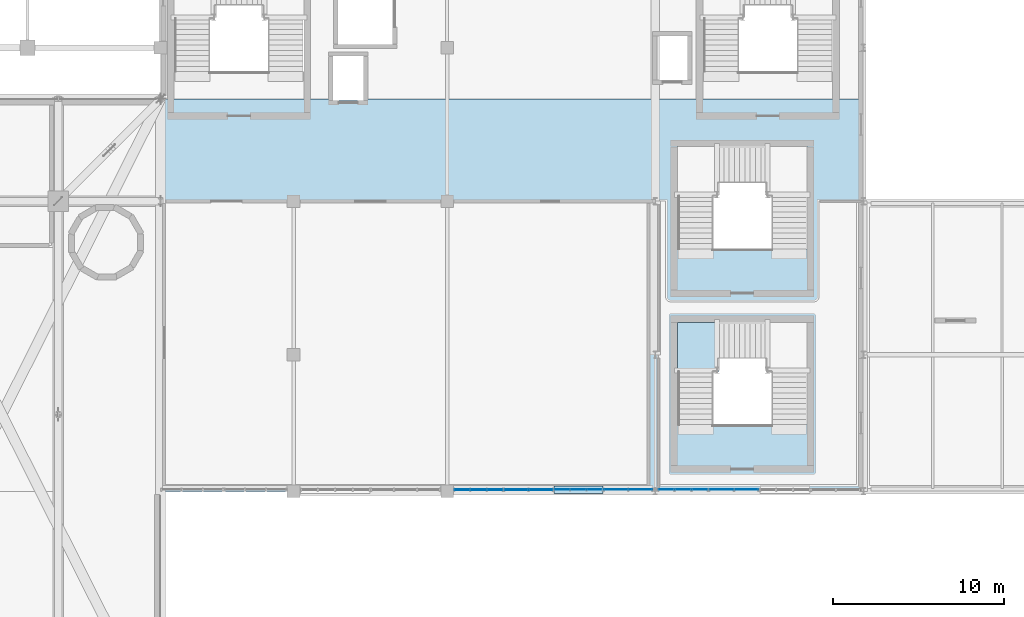
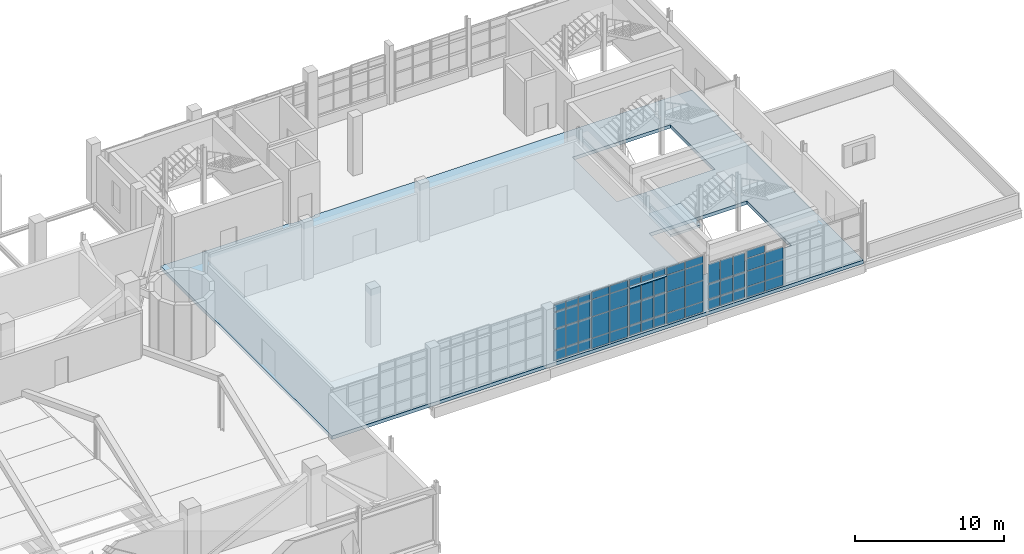
# One storey, part 99 of 127: 57 plates, 2 slabs, 7 elements without a shape of their own.
"""IFC4 building model written with IfcOpenShell, lengths in metres."""

from ifc_helpers import new_model, si_unit, derived_unit, direction, frame, origin, origin_2d, place, context, subcontext, project, spatial, polyline, rectangle, outline, extrude, material, layer, layer_set, type_object, element, aggregate, save


model = new_model("IFC4")

# Units and contexts
model_context = context("Model", 3, precision=1e-05, world=origin(), true_north=direction((0.0, 1.0)))
body_context = subcontext(model_context, "Body", "Model", "MODEL_VIEW")
ifc_project = project(units=[si_unit("LENGTHUNIT", "METRE"), si_unit("AREAUNIT", "SQUARE_METRE"), si_unit("VOLUMEUNIT", "CUBIC_METRE"), si_unit("PLANEANGLEUNIT", "RADIAN"), si_unit("MASSUNIT", "GRAM", prefix="KILO"), derived_unit("THERMALTRANSMITTANCEUNIT", [(si_unit("POWERUNIT", "WATT"), 1), (si_unit("LENGTHUNIT", "METRE"), -2), (si_unit("THERMODYNAMICTEMPERATUREUNIT", "KELVIN"), -1)])], contexts=[model_context])

# Site, building, storey
site_placement = place(None, origin())
site = spatial("IfcSite", under=ifc_project, at=site_placement, CompositionType="ELEMENT")
building_placement = place(site_placement, origin())
building = spatial("IfcBuilding", under=site, at=building_placement, Name="Nallur Shell Playhouse", CompositionType="ELEMENT")
storey_placement = place(building_placement, frame((0.0, 0.0, 5.39990234375)))
storey = spatial("IfcBuildingStorey", under=building, at=storey_placement, Name="L02", CompositionType="ELEMENT", Elevation=5.39990234375)

# Curtain wall, plates
ifc_material_1 = material(Name="Anodised Aluminium Double-Glazed Facade System", Category="aluminium")
ifc_layer_1 = layer(ifc_material_1, 0.172119140625)
ifc_layer_set_1 = layer_set([ifc_layer_1], Name="Anodised Aluminium Double-Glazed Facade System")
curtain_wall_type_1 = type_object("IfcCurtainWallType", Name="CW-UNIT-09", PredefinedType="NOTDEFINED", material=ifc_layer_set_1)
curtain_wall_1_placement = place(storey_placement, origin())
curtain_wall_1 = element("IfcCurtainWall", 1, at=curtain_wall_1_placement, inside=storey, type_object=curtain_wall_type_1, Name="Unitised curtain wall CW-041 (L02)", PredefinedType="NOTDEFINED")
ifc_material_2 = material(Name="Solar-Control Low-E Laminated Insulating Glass", Category="glass")
ifc_layer_2 = layer(ifc_material_2, 0.02587890625)
ifc_layer_set_2 = layer_set([ifc_layer_2], Name="Solar-Control Low-E Laminated Insulating Glass")
plate_type_1 = type_object("IfcPlateType", Name="PT-GLZ-01", PredefinedType="CURTAIN_PANEL", material=ifc_layer_set_2)
plate_1_placement = place(storey_placement, frame((152.931640625, 24.090087890625, 0.05712890625), z_axis=(0.0, 0.0, 1.0), x_axis=(-1.0, 0.0, 0.0)))
plate_1 = element("IfcPlate", 2, at=plate_1_placement, type_object=plate_type_1, Name="CW-09 panel 1.1", PredefinedType="CURTAIN_PANEL", context=body_context, shape_type="SweptSolid", body=[
    extrude(rectangle(XDim=1.3828125, YDim=0.02587890625, at=origin_2d()), origin(), (0.0, 0.0, 1.0), 0.818603515625),
])
plate_2_placement = place(storey_placement, frame((152.931640625, 24.090087890625, 0.9248046875), z_axis=(0.0, 0.0, 1.0), x_axis=(-1.0, 0.0, 0.0)))
plate_2 = element("IfcPlate", 3, at=plate_2_placement, type_object=plate_type_1, Name="CW-09 panel 1.2", PredefinedType="CURTAIN_PANEL", context=body_context, shape_type="SweptSolid", body=[
    extrude(rectangle(XDim=1.3828125, YDim=0.02587890625, at=origin_2d()), origin(), (0.0, 0.0, 1.0), 1.238037109375),
])
plate_3_placement = place(storey_placement, frame((152.931640625, 24.090087890625, 2.21142578125), z_axis=(0.0, 0.0, 1.0), x_axis=(-1.0, 0.0, 0.0)))
plate_3 = element("IfcPlate", 4, at=plate_3_placement, type_object=plate_type_1, Name="CW-09 panel 1.3", PredefinedType="CURTAIN_PANEL", context=body_context, shape_type="SweptSolid", body=[
    extrude(rectangle(XDim=1.3828125, YDim=0.02587890625, at=origin_2d()), origin(), (0.0, 0.0, 1.0), 0.989013671875),
])
plate_4_placement = place(storey_placement, frame((151.48486328125, 24.090087890625, 0.05712890625), z_axis=(0.0, 0.0, 1.0), x_axis=(-1.0, 0.0, 0.0)))
plate_4 = element("IfcPlate", 5, at=plate_4_placement, type_object=plate_type_1, Name="CW-09 panel 2.1", PredefinedType="CURTAIN_PANEL", context=body_context, shape_type="SweptSolid", body=[
    extrude(rectangle(XDim=1.3828125, YDim=0.02587890625, at=origin_2d()), origin(), (0.0, 0.0, 1.0), 0.818603515625),
])
plate_5_placement = place(storey_placement, frame((151.48486328125, 24.090087890625, 0.9248046875), z_axis=(0.0, 0.0, 1.0), x_axis=(-1.0, 0.0, 0.0)))
plate_5 = element("IfcPlate", 6, at=plate_5_placement, type_object=plate_type_1, Name="CW-09 panel 2.2", PredefinedType="CURTAIN_PANEL", context=body_context, shape_type="SweptSolid", body=[
    extrude(rectangle(XDim=1.3828125, YDim=0.02587890625, at=origin_2d()), origin(), (0.0, 0.0, 1.0), 1.238037109375),
])
plate_6_placement = place(storey_placement, frame((151.48486328125, 24.090087890625, 2.21142578125), z_axis=(0.0, 0.0, 1.0), x_axis=(-1.0, 0.0, 0.0)))
plate_6 = element("IfcPlate", 7, at=plate_6_placement, type_object=plate_type_1, Name="CW-09 panel 2.3", PredefinedType="CURTAIN_PANEL", context=body_context, shape_type="SweptSolid", body=[
    extrude(rectangle(XDim=1.3828125, YDim=0.02587890625, at=origin_2d()), origin(), (0.0, 0.0, 1.0), 0.989013671875),
])
plate_7_placement = place(storey_placement, frame((151.48486328125, 24.090087890625, 3.24951171875), z_axis=(0.0, 0.0, 1.0), x_axis=(-1.0, 0.0, 0.0)))
plate_7 = element("IfcPlate", 8, at=plate_7_placement, type_object=plate_type_1, Name="CW-09 panel 2.4", PredefinedType="CURTAIN_PANEL", context=body_context, shape_type="SweptSolid", body=[
    extrude(rectangle(XDim=1.3828125, YDim=0.02587890625, at=origin_2d()), origin(), (0.0, 0.0, 1.0), 0.598388671875),
])
aggregate(curtain_wall_1, [plate_1, plate_2, plate_3, plate_4, plate_5, plate_6, plate_7])

ifc_layer_3 = layer(ifc_material_1, 0.176025390625)
ifc_layer_set_3 = layer_set([ifc_layer_3], Name="Anodised Aluminium Double-Glazed Facade System")
curtain_wall_type_2 = type_object("IfcCurtainWallType", Name="CW-UNIT-10", PredefinedType="NOTDEFINED", material=ifc_layer_set_3)
curtain_wall_2_placement = place(storey_placement, origin())
curtain_wall_2 = element("IfcCurtainWall", 9, at=curtain_wall_2_placement, inside=storey, type_object=curtain_wall_type_2, Name="Unitised curtain wall CW-042 (L02)", PredefinedType="NOTDEFINED")
ifc_layer_4 = layer(ifc_material_2, 0.028076171875)
ifc_layer_set_4 = layer_set([ifc_layer_4], Name="Solar-Control Low-E Laminated Insulating Glass")
plate_type_2 = type_object("IfcPlateType", Name="PT-GLZ-02", PredefinedType="CURTAIN_PANEL", material=ifc_layer_set_4)
plate_8_placement = place(storey_placement, frame((150.1962890625, 24.090087890625, 0.092041015625), z_axis=(0.0, 0.0, 1.0), x_axis=(-1.0, 0.0, 0.0)))
plate_8 = element("IfcPlate", 10, at=plate_8_placement, type_object=plate_type_2, Name="CW-10 panel 1.1", PredefinedType="CURTAIN_PANEL", context=body_context, shape_type="SweptSolid", body=[
    extrude(rectangle(XDim=0.896240234375, YDim=0.028076171875, at=origin_2d()), origin(), (0.0, 0.0, 1.0), 0.76611328125),
])
plate_9_placement = place(storey_placement, frame((150.1962890625, 24.090087890625, 0.942138671875), z_axis=(0.0, 0.0, 1.0), x_axis=(-1.0, 0.0, 0.0)))
plate_9 = element("IfcPlate", 11, at=plate_9_placement, type_object=plate_type_2, Name="CW-10 panel 1.2", PredefinedType="CURTAIN_PANEL", context=body_context, shape_type="SweptSolid", body=[
    extrude(rectangle(XDim=0.896240234375, YDim=0.028076171875, at=origin_2d()), origin(), (0.0, 0.0, 1.0), 1.19189453125),
])
plate_10_placement = place(storey_placement, frame((150.1962890625, 24.090087890625, 2.21826171875), z_axis=(0.0, 0.0, 1.0), x_axis=(-1.0, 0.0, 0.0)))
plate_10 = element("IfcPlate", 12, at=plate_10_placement, type_object=plate_type_2, Name="CW-10 panel 1.3", PredefinedType="CURTAIN_PANEL", context=body_context, shape_type="SweptSolid", body=[
    extrude(rectangle(XDim=0.896240234375, YDim=0.028076171875, at=origin_2d()), origin(), (0.0, 0.0, 1.0), 1.574951171875),
])
plate_11_placement = place(storey_placement, frame((149.22216796875, 24.090087890625, 0.092041015625), z_axis=(0.0, 0.0, 1.0), x_axis=(-1.0, 0.0, 0.0)))
plate_11 = element("IfcPlate", 13, at=plate_11_placement, type_object=plate_type_2, Name="CW-10 panel 2.1", PredefinedType="CURTAIN_PANEL", context=body_context, shape_type="SweptSolid", body=[
    extrude(rectangle(XDim=0.933837890625, YDim=0.028076171875, at=origin_2d()), origin(), (0.0, 0.0, 1.0), 0.76611328125),
])
plate_12_placement = place(storey_placement, frame((149.22216796875, 24.090087890625, 0.942138671875), z_axis=(0.0, 0.0, 1.0), x_axis=(-1.0, 0.0, 0.0)))
plate_12 = element("IfcPlate", 14, at=plate_12_placement, type_object=plate_type_2, Name="CW-10 panel 2.2", PredefinedType="CURTAIN_PANEL", context=body_context, shape_type="SweptSolid", body=[
    extrude(rectangle(XDim=0.933837890625, YDim=0.028076171875, at=origin_2d()), origin(), (0.0, 0.0, 1.0), 1.19189453125),
])
plate_13_placement = place(storey_placement, frame((149.22216796875, 24.090087890625, 2.21826171875), z_axis=(0.0, 0.0, 1.0), x_axis=(-1.0, 0.0, 0.0)))
plate_13 = element("IfcPlate", 15, at=plate_13_placement, type_object=plate_type_2, Name="CW-10 panel 2.3", PredefinedType="CURTAIN_PANEL", context=body_context, shape_type="SweptSolid", body=[
    extrude(rectangle(XDim=0.933837890625, YDim=0.028076171875, at=origin_2d()), origin(), (0.0, 0.0, 1.0), 1.574951171875),
])
plate_14_placement = place(storey_placement, frame((148.248046875, 24.090087890625, 0.092041015625), z_axis=(0.0, 0.0, 1.0), x_axis=(-1.0, 0.0, 0.0)))
plate_14 = element("IfcPlate", 16, at=plate_14_placement, type_object=plate_type_2, Name="CW-10 panel 3.1", PredefinedType="CURTAIN_PANEL", context=body_context, shape_type="SweptSolid", body=[
    extrude(rectangle(XDim=0.896240234375, YDim=0.028076171875, at=origin_2d()), origin(), (0.0, 0.0, 1.0), 0.76611328125),
])
plate_15_placement = place(storey_placement, frame((148.248046875, 24.090087890625, 0.942138671875), z_axis=(0.0, 0.0, 1.0), x_axis=(-1.0, 0.0, 0.0)))
plate_15 = element("IfcPlate", 17, at=plate_15_placement, type_object=plate_type_2, Name="CW-10 panel 3.2", PredefinedType="CURTAIN_PANEL", context=body_context, shape_type="SweptSolid", body=[
    extrude(rectangle(XDim=0.896240234375, YDim=0.028076171875, at=origin_2d()), origin(), (0.0, 0.0, 1.0), 1.19189453125),
])
plate_16_placement = place(storey_placement, frame((148.248046875, 24.090087890625, 2.21826171875), z_axis=(0.0, 0.0, 1.0), x_axis=(-1.0, 0.0, 0.0)))
plate_16 = element("IfcPlate", 18, at=plate_16_placement, type_object=plate_type_2, Name="CW-10 panel 3.3", PredefinedType="CURTAIN_PANEL", context=body_context, shape_type="SweptSolid", body=[
    extrude(rectangle(XDim=0.896240234375, YDim=0.028076171875, at=origin_2d()), origin(), (0.0, 0.0, 1.0), 1.574951171875),
])
aggregate(curtain_wall_2, [plate_8, plate_9, plate_10, plate_11, plate_12, plate_13, plate_14, plate_15, plate_16])

ifc_layer_5 = layer(ifc_material_1, 0.179931640625)
ifc_layer_set_5 = layer_set([ifc_layer_5], Name="Anodised Aluminium Double-Glazed Facade System")
curtain_wall_type_3 = type_object("IfcCurtainWallType", Name="CW-UNIT-11", PredefinedType="NOTDEFINED", material=ifc_layer_set_5)
curtain_wall_3_placement = place(storey_placement, origin())
curtain_wall_3 = element("IfcCurtainWall", 19, at=curtain_wall_3_placement, inside=storey, type_object=curtain_wall_type_3, Name="Unitised curtain wall CW-043 (L02)", PredefinedType="NOTDEFINED")
ifc_layer_6 = layer(ifc_material_2, 0.030029296875)
ifc_layer_set_6 = layer_set([ifc_layer_6], Name="Solar-Control Low-E Laminated Insulating Glass")
plate_type_3 = type_object("IfcPlateType", Name="PT-GLZ-03", PredefinedType="CURTAIN_PANEL", material=ifc_layer_set_6)
plate_17_placement = place(storey_placement, frame((146.7216796875, 24.090087890625, 0.05712890625), z_axis=(0.0, 0.0, 1.0), x_axis=(-1.0, 0.0, 0.0)))
plate_17 = element("IfcPlate", 20, at=plate_17_placement, type_object=plate_type_3, Name="CW-11 panel 1.1", PredefinedType="CURTAIN_PANEL", context=body_context, shape_type="SweptSolid", body=[
    extrude(rectangle(XDim=1.37646484375, YDim=0.030029296875, at=origin_2d()), origin(), (0.0, 0.0, 1.0), 0.818603515625),
])
plate_18_placement = place(storey_placement, frame((146.7216796875, 24.090087890625, 0.924560546875), z_axis=(0.0, 0.0, 1.0), x_axis=(-1.0, 0.0, 0.0)))
plate_18 = element("IfcPlate", 21, at=plate_18_placement, type_object=plate_type_3, Name="CW-11 panel 1.2", PredefinedType="CURTAIN_PANEL", context=body_context, shape_type="SweptSolid", body=[
    extrude(rectangle(XDim=1.37646484375, YDim=0.030029296875, at=origin_2d()), origin(), (0.0, 0.0, 1.0), 1.68896484375),
])
plate_19_placement = place(storey_placement, frame((146.7216796875, 24.090087890625, 2.66259765625), z_axis=(0.0, 0.0, 1.0), x_axis=(-1.0, 0.0, 0.0)))
plate_19 = element("IfcPlate", 22, at=plate_19_placement, type_object=plate_type_3, Name="CW-11 panel 1.3", PredefinedType="CURTAIN_PANEL", context=body_context, shape_type="SweptSolid", body=[
    extrude(rectangle(XDim=1.37646484375, YDim=0.030029296875, at=origin_2d()), origin(), (0.0, 0.0, 1.0), 1.343017578125),
])
plate_20_placement = place(storey_placement, frame((146.7216796875, 24.090087890625, 4.0546875), z_axis=(0.0, 0.0, 1.0), x_axis=(-1.0, 0.0, 0.0)))
plate_20 = element("IfcPlate", 23, at=plate_20_placement, type_object=plate_type_3, Name="CW-11 panel 1.4", PredefinedType="CURTAIN_PANEL", context=body_context, shape_type="SweptSolid", body=[
    extrude(rectangle(XDim=1.37646484375, YDim=0.030029296875, at=origin_2d()), origin(), (0.0, 0.0, 1.0), 0.598388671875),
])
plate_21_placement = place(storey_placement, frame((145.296142578125, 24.090087890625, 0.05712890625), z_axis=(0.0, 0.0, 1.0), x_axis=(-1.0, 0.0, 0.0)))
plate_21 = element("IfcPlate", 24, at=plate_21_placement, type_object=plate_type_3, Name="CW-11 panel 2.1", PredefinedType="CURTAIN_PANEL", context=body_context, shape_type="SweptSolid", body=[
    extrude(rectangle(XDim=1.37646484375, YDim=0.030029296875, at=origin_2d()), origin(), (0.0, 0.0, 1.0), 0.818603515625),
])
plate_22_placement = place(storey_placement, frame((145.296142578125, 24.090087890625, 0.924560546875), z_axis=(0.0, 0.0, 1.0), x_axis=(-1.0, 0.0, 0.0)))
plate_22 = element("IfcPlate", 25, at=plate_22_placement, type_object=plate_type_3, Name="CW-11 panel 2.2", PredefinedType="CURTAIN_PANEL", context=body_context, shape_type="SweptSolid", body=[
    extrude(rectangle(XDim=1.37646484375, YDim=0.030029296875, at=origin_2d()), origin(), (0.0, 0.0, 1.0), 1.68896484375),
])
plate_23_placement = place(storey_placement, frame((145.296142578125, 24.090087890625, 2.66259765625), z_axis=(0.0, 0.0, 1.0), x_axis=(-1.0, 0.0, 0.0)))
plate_23 = element("IfcPlate", 26, at=plate_23_placement, type_object=plate_type_3, Name="CW-11 panel 2.3", PredefinedType="CURTAIN_PANEL", context=body_context, shape_type="SweptSolid", body=[
    extrude(rectangle(XDim=1.37646484375, YDim=0.030029296875, at=origin_2d()), origin(), (0.0, 0.0, 1.0), 1.343017578125),
])
plate_24_placement = place(storey_placement, frame((145.296142578125, 24.090087890625, 4.0546875), z_axis=(0.0, 0.0, 1.0), x_axis=(-1.0, 0.0, 0.0)))
plate_24 = element("IfcPlate", 27, at=plate_24_placement, type_object=plate_type_3, Name="CW-11 panel 2.4", PredefinedType="CURTAIN_PANEL", context=body_context, shape_type="SweptSolid", body=[
    extrude(rectangle(XDim=1.37646484375, YDim=0.030029296875, at=origin_2d()), origin(), (0.0, 0.0, 1.0), 0.598388671875),
])
aggregate(curtain_wall_3, [plate_17, plate_18, plate_19, plate_20, plate_21, plate_22, plate_23, plate_24])

ifc_layer_7 = layer(ifc_material_1, 0.159912109375)
ifc_layer_set_7 = layer_set([ifc_layer_7], Name="Anodised Aluminium Double-Glazed Facade System")
curtain_wall_type_4 = type_object("IfcCurtainWallType", Name="CW-UNIT-12", PredefinedType="NOTDEFINED", material=ifc_layer_set_7)
curtain_wall_4_placement = place(storey_placement, origin())
curtain_wall_4 = element("IfcCurtainWall", 28, at=curtain_wall_4_placement, inside=storey, type_object=curtain_wall_type_4, Name="Unitised curtain wall CW-044 (L02)", PredefinedType="NOTDEFINED")
ifc_layer_8 = layer(ifc_material_2, 0.031982421875)
ifc_layer_set_8 = layer_set([ifc_layer_8], Name="Solar-Control Low-E Laminated Insulating Glass")
plate_type_4 = type_object("IfcPlateType", Name="PT-GLZ-04", PredefinedType="CURTAIN_PANEL", material=ifc_layer_set_8)
plate_25_placement = place(storey_placement, frame((144.035888671875, 24.090087890625, 0.092041015625), z_axis=(0.0, 0.0, 1.0), x_axis=(-1.0, 0.0, 0.0)))
plate_25 = element("IfcPlate", 29, at=plate_25_placement, type_object=plate_type_4, Name="CW-12 panel 1.1", PredefinedType="CURTAIN_PANEL", context=body_context, shape_type="SweptSolid", body=[
    extrude(rectangle(XDim=0.866455078125, YDim=0.031982421875, at=origin_2d()), origin(), (0.0, 0.0, 1.0), 0.76611328125),
])
plate_26_placement = place(storey_placement, frame((144.035888671875, 24.090087890625, 0.942138671875), z_axis=(0.0, 0.0, 1.0), x_axis=(-1.0, 0.0, 0.0)))
plate_26 = element("IfcPlate", 30, at=plate_26_placement, type_object=plate_type_4, Name="CW-12 panel 1.2", PredefinedType="CURTAIN_PANEL", context=body_context, shape_type="SweptSolid", body=[
    extrude(rectangle(XDim=0.866455078125, YDim=0.031982421875, at=origin_2d()), origin(), (0.0, 0.0, 1.0), 1.68701171875),
])
plate_27_placement = place(storey_placement, frame((144.035888671875, 24.090087890625, 2.713134765625), z_axis=(0.0, 0.0, 1.0), x_axis=(-1.0, 0.0, 0.0)))
plate_27 = element("IfcPlate", 31, at=plate_27_placement, type_object=plate_type_4, Name="CW-12 panel 1.3", PredefinedType="CURTAIN_PANEL", context=body_context, shape_type="SweptSolid", body=[
    extrude(rectangle(XDim=0.866455078125, YDim=0.031982421875, at=origin_2d()), origin(), (0.0, 0.0, 1.0), 1.3349609375),
])
plate_28_placement = place(storey_placement, frame((144.035888671875, 24.090087890625, 4.132080078125), z_axis=(0.0, 0.0, 1.0), x_axis=(-1.0, 0.0, 0.0)))
plate_28 = element("IfcPlate", 32, at=plate_28_placement, type_object=plate_type_4, Name="CW-12 panel 1.4", PredefinedType="CURTAIN_PANEL", context=body_context, shape_type="SweptSolid", body=[
    extrude(rectangle(XDim=0.866455078125, YDim=0.031982421875, at=origin_2d()), origin(), (0.0, 0.0, 1.0), 0.5458984375),
])
plate_29_placement = place(storey_placement, frame((143.08544921875, 24.090087890625, 0.092041015625), z_axis=(0.0, 0.0, 1.0), x_axis=(-1.0, 0.0, 0.0)))
plate_29 = element("IfcPlate", 33, at=plate_29_placement, type_object=plate_type_4, Name="CW-12 panel 2.1", PredefinedType="CURTAIN_PANEL", context=body_context, shape_type="SweptSolid", body=[
    extrude(rectangle(XDim=0.90625, YDim=0.031982421875, at=origin_2d()), origin(), (0.0, 0.0, 1.0), 0.76611328125),
])
plate_30_placement = place(storey_placement, frame((143.08544921875, 24.090087890625, 0.942138671875), z_axis=(0.0, 0.0, 1.0), x_axis=(-1.0, 0.0, 0.0)))
plate_30 = element("IfcPlate", 34, at=plate_30_placement, type_object=plate_type_4, Name="CW-12 panel 2.2", PredefinedType="CURTAIN_PANEL", context=body_context, shape_type="SweptSolid", body=[
    extrude(rectangle(XDim=0.90625, YDim=0.031982421875, at=origin_2d()), origin(), (0.0, 0.0, 1.0), 1.68701171875),
])
plate_31_placement = place(storey_placement, frame((143.08544921875, 24.090087890625, 2.713134765625), z_axis=(0.0, 0.0, 1.0), x_axis=(-1.0, 0.0, 0.0)))
plate_31 = element("IfcPlate", 35, at=plate_31_placement, type_object=plate_type_4, Name="CW-12 panel 2.3", PredefinedType="CURTAIN_PANEL", context=body_context, shape_type="SweptSolid", body=[
    extrude(rectangle(XDim=0.90625, YDim=0.031982421875, at=origin_2d()), origin(), (0.0, 0.0, 1.0), 1.3349609375),
])
plate_32_placement = place(storey_placement, frame((143.08544921875, 24.090087890625, 4.132080078125), z_axis=(0.0, 0.0, 1.0), x_axis=(-1.0, 0.0, 0.0)))
plate_32 = element("IfcPlate", 36, at=plate_32_placement, type_object=plate_type_4, Name="CW-12 panel 2.4", PredefinedType="CURTAIN_PANEL", context=body_context, shape_type="SweptSolid", body=[
    extrude(rectangle(XDim=0.90625, YDim=0.031982421875, at=origin_2d()), origin(), (0.0, 0.0, 1.0), 0.5458984375),
])
plate_33_placement = place(storey_placement, frame((142.13525390625, 24.090087890625, 0.092041015625), z_axis=(0.0, 0.0, 1.0), x_axis=(-1.0, 0.0, 0.0)))
plate_33 = element("IfcPlate", 37, at=plate_33_placement, type_object=plate_type_4, Name="CW-12 panel 3.1", PredefinedType="CURTAIN_PANEL", context=body_context, shape_type="SweptSolid", body=[
    extrude(rectangle(XDim=0.866455078125, YDim=0.031982421875, at=origin_2d()), origin(), (0.0, 0.0, 1.0), 0.76611328125),
])
plate_34_placement = place(storey_placement, frame((142.13525390625, 24.090087890625, 0.942138671875), z_axis=(0.0, 0.0, 1.0), x_axis=(-1.0, 0.0, 0.0)))
plate_34 = element("IfcPlate", 38, at=plate_34_placement, type_object=plate_type_4, Name="CW-12 panel 3.2", PredefinedType="CURTAIN_PANEL", context=body_context, shape_type="SweptSolid", body=[
    extrude(rectangle(XDim=0.866455078125, YDim=0.031982421875, at=origin_2d()), origin(), (0.0, 0.0, 1.0), 1.68701171875),
])
plate_35_placement = place(storey_placement, frame((142.13525390625, 24.090087890625, 2.713134765625), z_axis=(0.0, 0.0, 1.0), x_axis=(-1.0, 0.0, 0.0)))
plate_35 = element("IfcPlate", 39, at=plate_35_placement, type_object=plate_type_4, Name="CW-12 panel 3.3", PredefinedType="CURTAIN_PANEL", context=body_context, shape_type="SweptSolid", body=[
    extrude(rectangle(XDim=0.866455078125, YDim=0.031982421875, at=origin_2d()), origin(), (0.0, 0.0, 1.0), 1.3349609375),
])
plate_36_placement = place(storey_placement, frame((142.13525390625, 24.090087890625, 4.132080078125), z_axis=(0.0, 0.0, 1.0), x_axis=(-1.0, 0.0, 0.0)))
plate_36 = element("IfcPlate", 40, at=plate_36_placement, type_object=plate_type_4, Name="CW-12 panel 3.4", PredefinedType="CURTAIN_PANEL", context=body_context, shape_type="SweptSolid", body=[
    extrude(rectangle(XDim=0.866455078125, YDim=0.031982421875, at=origin_2d()), origin(), (0.0, 0.0, 1.0), 0.5458984375),
])
aggregate(curtain_wall_4, [plate_25, plate_26, plate_27, plate_28, plate_29, plate_30, plate_31, plate_32, plate_33, plate_34, plate_35, plate_36])

ifc_layer_9 = layer(ifc_material_1, 0.1640625)
ifc_layer_set_9 = layer_set([ifc_layer_9], Name="Anodised Aluminium Double-Glazed Facade System")
curtain_wall_type_5 = type_object("IfcCurtainWallType", Name="CW-UNIT-13", PredefinedType="NOTDEFINED", material=ifc_layer_set_9)
curtain_wall_5_placement = place(storey_placement, origin())
curtain_wall_5 = element("IfcCurtainWall", 41, at=curtain_wall_5_placement, inside=storey, type_object=curtain_wall_type_5, Name="Unitised curtain wall CW-045 (L02)", PredefinedType="NOTDEFINED")
ifc_layer_10 = layer(ifc_material_2, 0.033935546875)
ifc_layer_set_10 = layer_set([ifc_layer_10], Name="Solar-Control Low-E Laminated Insulating Glass")
plate_type_5 = type_object("IfcPlateType", Name="PT-GLZ-05", PredefinedType="CURTAIN_PANEL", material=ifc_layer_set_10)
plate_37_placement = place(storey_placement, frame((140.87353515625, 24.090087890625, 0.05712890625), z_axis=(0.0, 0.0, 1.0), x_axis=(-1.0, 0.0, 0.0)))
plate_37 = element("IfcPlate", 42, at=plate_37_placement, type_object=plate_type_5, Name="CW-13 panel 1.1", PredefinedType="CURTAIN_PANEL", context=body_context, shape_type="SweptSolid", body=[
    extrude(rectangle(XDim=1.35888671875, YDim=0.033935546875, at=origin_2d()), origin(), (0.0, 0.0, 1.0), 0.818603515625),
])
plate_38_placement = place(storey_placement, frame((140.87353515625, 24.090087890625, 0.924560546875), z_axis=(0.0, 0.0, 1.0), x_axis=(-1.0, 0.0, 0.0)))
plate_38 = element("IfcPlate", 43, at=plate_38_placement, type_object=plate_type_5, Name="CW-13 panel 1.2", PredefinedType="CURTAIN_PANEL", context=body_context, shape_type="SweptSolid", body=[
    extrude(rectangle(XDim=1.35888671875, YDim=0.033935546875, at=origin_2d()), origin(), (0.0, 0.0, 1.0), 1.7109375),
])
plate_39_placement = place(storey_placement, frame((140.87353515625, 24.090087890625, 2.6845703125), z_axis=(0.0, 0.0, 1.0), x_axis=(-1.0, 0.0, 0.0)))
plate_39 = element("IfcPlate", 44, at=plate_39_placement, type_object=plate_type_5, Name="CW-13 panel 1.3", PredefinedType="CURTAIN_PANEL", context=body_context, shape_type="SweptSolid", body=[
    extrude(rectangle(XDim=1.35888671875, YDim=0.033935546875, at=origin_2d()), origin(), (0.0, 0.0, 1.0), 1.361083984375),
])
plate_40_placement = place(storey_placement, frame((140.87353515625, 24.090087890625, 4.0947265625), z_axis=(0.0, 0.0, 1.0), x_axis=(-1.0, 0.0, 0.0)))
plate_40 = element("IfcPlate", 45, at=plate_40_placement, type_object=plate_type_5, Name="CW-13 panel 1.4", PredefinedType="CURTAIN_PANEL", context=body_context, shape_type="SweptSolid", body=[
    extrude(rectangle(XDim=1.35888671875, YDim=0.033935546875, at=origin_2d()), origin(), (0.0, 0.0, 1.0), 0.598388671875),
])
plate_41_placement = place(storey_placement, frame((139.45556640625, 24.090087890625, 0.05712890625), z_axis=(0.0, 0.0, 1.0), x_axis=(-1.0, 0.0, 0.0)))
plate_41 = element("IfcPlate", 46, at=plate_41_placement, type_object=plate_type_5, Name="CW-13 panel 2.1", PredefinedType="CURTAIN_PANEL", context=body_context, shape_type="SweptSolid", body=[
    extrude(rectangle(XDim=1.35888671875, YDim=0.033935546875, at=origin_2d()), origin(), (0.0, 0.0, 1.0), 0.818603515625),
])
plate_42_placement = place(storey_placement, frame((139.45556640625, 24.090087890625, 0.924560546875), z_axis=(0.0, 0.0, 1.0), x_axis=(-1.0, 0.0, 0.0)))
plate_42 = element("IfcPlate", 47, at=plate_42_placement, type_object=plate_type_5, Name="CW-13 panel 2.2", PredefinedType="CURTAIN_PANEL", context=body_context, shape_type="SweptSolid", body=[
    extrude(rectangle(XDim=1.35888671875, YDim=0.033935546875, at=origin_2d()), origin(), (0.0, 0.0, 1.0), 1.7109375),
])
plate_43_placement = place(storey_placement, frame((139.45556640625, 24.090087890625, 2.6845703125), z_axis=(0.0, 0.0, 1.0), x_axis=(-1.0, 0.0, 0.0)))
plate_43 = element("IfcPlate", 48, at=plate_43_placement, type_object=plate_type_5, Name="CW-13 panel 2.3", PredefinedType="CURTAIN_PANEL", context=body_context, shape_type="SweptSolid", body=[
    extrude(rectangle(XDim=1.35888671875, YDim=0.033935546875, at=origin_2d()), origin(), (0.0, 0.0, 1.0), 1.361083984375),
])
plate_44_placement = place(storey_placement, frame((139.45556640625, 24.090087890625, 4.0947265625), z_axis=(0.0, 0.0, 1.0), x_axis=(-1.0, 0.0, 0.0)))
plate_44 = element("IfcPlate", 49, at=plate_44_placement, type_object=plate_type_5, Name="CW-13 panel 2.4", PredefinedType="CURTAIN_PANEL", context=body_context, shape_type="SweptSolid", body=[
    extrude(rectangle(XDim=1.35888671875, YDim=0.033935546875, at=origin_2d()), origin(), (0.0, 0.0, 1.0), 0.598388671875),
])
aggregate(curtain_wall_5, [plate_37, plate_38, plate_39, plate_40, plate_41, plate_42, plate_43, plate_44])

ifc_layer_11 = layer(ifc_material_1, 0.16796875)
ifc_layer_set_11 = layer_set([ifc_layer_11], Name="Anodised Aluminium Double-Glazed Facade System")
curtain_wall_type_6 = type_object("IfcCurtainWallType", Name="CW-UNIT-14", PredefinedType="NOTDEFINED", material=ifc_layer_set_11)
curtain_wall_6_placement = place(storey_placement, origin())
curtain_wall_6 = element("IfcCurtainWall", 50, at=curtain_wall_6_placement, inside=storey, type_object=curtain_wall_type_6, Name="Unitised curtain wall CW-046 (L02)", PredefinedType="NOTDEFINED")
ifc_layer_12 = layer(ifc_material_2, 0.035888671875)
ifc_layer_set_12 = layer_set([ifc_layer_12], Name="Solar-Control Low-E Laminated Insulating Glass")
plate_type_6 = type_object("IfcPlateType", Name="PT-GLZ-06", PredefinedType="CURTAIN_PANEL", material=ifc_layer_set_12)
plate_45_placement = place(storey_placement, frame((138.19677734375, 24.090087890625, 0.092041015625), z_axis=(0.0, 0.0, 1.0), x_axis=(-1.0, 0.0, 0.0)))
plate_45 = element("IfcPlate", 51, at=plate_45_placement, type_object=plate_type_6, Name="CW-14 panel 1.1", PredefinedType="CURTAIN_PANEL", context=body_context, shape_type="SweptSolid", body=[
    extrude(rectangle(XDim=0.890380859375, YDim=0.035888671875, at=origin_2d()), origin(), (0.0, 0.0, 1.0), 0.76611328125),
])
plate_46_placement = place(storey_placement, frame((138.19677734375, 24.090087890625, 0.942138671875), z_axis=(0.0, 0.0, 1.0), x_axis=(-1.0, 0.0, 0.0)))
plate_46 = element("IfcPlate", 52, at=plate_46_placement, type_object=plate_type_6, Name="CW-14 panel 1.2", PredefinedType="CURTAIN_PANEL", context=body_context, shape_type="SweptSolid", body=[
    extrude(rectangle(XDim=0.890380859375, YDim=0.035888671875, at=origin_2d()), origin(), (0.0, 0.0, 1.0), 1.6650390625),
])
plate_47_placement = place(storey_placement, frame((138.19677734375, 24.090087890625, 2.691162109375), z_axis=(0.0, 0.0, 1.0), x_axis=(-1.0, 0.0, 0.0)))
plate_47 = element("IfcPlate", 53, at=plate_47_placement, type_object=plate_type_6, Name="CW-14 panel 1.3", PredefinedType="CURTAIN_PANEL", context=body_context, shape_type="SweptSolid", body=[
    extrude(rectangle(XDim=0.890380859375, YDim=0.035888671875, at=origin_2d()), origin(), (0.0, 0.0, 1.0), 1.31689453125),
])
plate_48_placement = place(storey_placement, frame((138.19677734375, 24.090087890625, 4.092041015625), z_axis=(0.0, 0.0, 1.0), x_axis=(-1.0, 0.0, 0.0)))
plate_48 = element("IfcPlate", 54, at=plate_48_placement, type_object=plate_type_6, Name="CW-14 panel 1.4", PredefinedType="CURTAIN_PANEL", context=body_context, shape_type="SweptSolid", body=[
    extrude(rectangle(XDim=0.890380859375, YDim=0.035888671875, at=origin_2d()), origin(), (0.0, 0.0, 1.0), 0.5458984375),
])
plate_49_placement = place(storey_placement, frame((137.240966796875, 24.090087890625, 0.092041015625), z_axis=(0.0, 0.0, 1.0), x_axis=(-1.0, 0.0, 0.0)))
plate_49 = element("IfcPlate", 55, at=plate_49_placement, type_object=plate_type_6, Name="CW-14 panel 2.1", PredefinedType="CURTAIN_PANEL", context=body_context, shape_type="SweptSolid", body=[
    extrude(rectangle(XDim=0.923095703125, YDim=0.035888671875, at=origin_2d()), origin(), (0.0, 0.0, 1.0), 0.76611328125),
])
plate_50_placement = place(storey_placement, frame((137.240966796875, 24.090087890625, 0.942138671875), z_axis=(0.0, 0.0, 1.0), x_axis=(-1.0, 0.0, 0.0)))
plate_50 = element("IfcPlate", 56, at=plate_50_placement, type_object=plate_type_6, Name="CW-14 panel 2.2", PredefinedType="CURTAIN_PANEL", context=body_context, shape_type="SweptSolid", body=[
    extrude(rectangle(XDim=0.923095703125, YDim=0.035888671875, at=origin_2d()), origin(), (0.0, 0.0, 1.0), 1.6650390625),
])
plate_51_placement = place(storey_placement, frame((137.240966796875, 24.090087890625, 2.691162109375), z_axis=(0.0, 0.0, 1.0), x_axis=(-1.0, 0.0, 0.0)))
plate_51 = element("IfcPlate", 57, at=plate_51_placement, type_object=plate_type_6, Name="CW-14 panel 2.3", PredefinedType="CURTAIN_PANEL", context=body_context, shape_type="SweptSolid", body=[
    extrude(rectangle(XDim=0.923095703125, YDim=0.035888671875, at=origin_2d()), origin(), (0.0, 0.0, 1.0), 1.31689453125),
])
plate_52_placement = place(storey_placement, frame((137.240966796875, 24.090087890625, 4.092041015625), z_axis=(0.0, 0.0, 1.0), x_axis=(-1.0, 0.0, 0.0)))
plate_52 = element("IfcPlate", 58, at=plate_52_placement, type_object=plate_type_6, Name="CW-14 panel 2.4", PredefinedType="CURTAIN_PANEL", context=body_context, shape_type="SweptSolid", body=[
    extrude(rectangle(XDim=0.923095703125, YDim=0.035888671875, at=origin_2d()), origin(), (0.0, 0.0, 1.0), 0.5458984375),
])
plate_53_placement = place(storey_placement, frame((136.28515625, 24.090087890625, 0.092041015625), z_axis=(0.0, 0.0, 1.0), x_axis=(-1.0, 0.0, 0.0)))
plate_53 = element("IfcPlate", 59, at=plate_53_placement, type_object=plate_type_6, Name="CW-14 panel 3.1", PredefinedType="CURTAIN_PANEL", context=body_context, shape_type="SweptSolid", body=[
    extrude(rectangle(XDim=0.890380859375, YDim=0.035888671875, at=origin_2d()), origin(), (0.0, 0.0, 1.0), 0.76611328125),
])
plate_54_placement = place(storey_placement, frame((136.28515625, 24.090087890625, 0.942138671875), z_axis=(0.0, 0.0, 1.0), x_axis=(-1.0, 0.0, 0.0)))
plate_54 = element("IfcPlate", 60, at=plate_54_placement, type_object=plate_type_6, Name="CW-14 panel 3.2", PredefinedType="CURTAIN_PANEL", context=body_context, shape_type="SweptSolid", body=[
    extrude(rectangle(XDim=0.890380859375, YDim=0.035888671875, at=origin_2d()), origin(), (0.0, 0.0, 1.0), 1.6650390625),
])
plate_55_placement = place(storey_placement, frame((136.28515625, 24.090087890625, 2.691162109375), z_axis=(0.0, 0.0, 1.0), x_axis=(-1.0, 0.0, 0.0)))
plate_55 = element("IfcPlate", 61, at=plate_55_placement, type_object=plate_type_6, Name="CW-14 panel 3.3", PredefinedType="CURTAIN_PANEL", context=body_context, shape_type="SweptSolid", body=[
    extrude(rectangle(XDim=0.890380859375, YDim=0.035888671875, at=origin_2d()), origin(), (0.0, 0.0, 1.0), 1.31689453125),
])
plate_56_placement = place(storey_placement, frame((136.28515625, 24.090087890625, 4.092041015625), z_axis=(0.0, 0.0, 1.0), x_axis=(-1.0, 0.0, 0.0)))
plate_56 = element("IfcPlate", 62, at=plate_56_placement, type_object=plate_type_6, Name="CW-14 panel 3.4", PredefinedType="CURTAIN_PANEL", context=body_context, shape_type="SweptSolid", body=[
    extrude(rectangle(XDim=0.890380859375, YDim=0.035888671875, at=origin_2d()), origin(), (0.0, 0.0, 1.0), 0.5458984375),
])
aggregate(curtain_wall_6, [plate_45, plate_46, plate_47, plate_48, plate_49, plate_50, plate_51, plate_52, plate_53, plate_54, plate_55, plate_56])

# Plate
ifc_material_3 = material(Name="Terracotta & Gold-Anodised Monsoon Sunshade Blade", Category="masonry")
ifc_layer_13 = layer(ifc_material_3, 0.054931640625)
ifc_layer_set_13 = layer_set([ifc_layer_13], Name="Terracotta & Gold-Anodised Monsoon Sunshade Blade")
plate_type_7 = type_object("IfcPlateType", Name="PT-LOUVRE-03", PredefinedType="USERDEFINED", material=ifc_layer_set_13)
plate_57_placement = place(storey_placement, frame((143.08544921875, 24.090087890625, 4.0625), z_axis=(0.0, 0.0, 1.0), x_axis=(-1.0, 0.0, 0.0)))
element("IfcPlate", 63, at=plate_57_placement, inside=storey, type_object=plate_type_7, Name="Monsoon sunshade louvre blade LV-011", ObjectType="SUNSHADE LOUVRE", PredefinedType="USERDEFINED", context=body_context, shape_type="SweptSolid", body=[
    extrude(rectangle(XDim=2.87109375, YDim=0.419921875, at=origin_2d()), origin(), (0.0, 0.0, 1.0), 0.054931640625),
])

# Stair, slab
ifc_material_4 = material(Name="Concrete M35", Category="concrete")
stair_type = type_object("IfcStairType", Name="ST-CORE-48", PredefinedType="QUARTER_TURN_STAIR", material=ifc_material_4)
stair_placement = place(storey_placement, origin())
stair = element("IfcStair", 64, at=stair_placement, inside=storey, type_object=stair_type, Name="Core JC-8 exit stair ST-08-L02 (L02 to L03)", PredefinedType="QUARTER_TURN_STAIR")
ifc_layer_14 = layer(ifc_material_4, 0.199951171875)
ifc_layer_set_14 = layer_set([ifc_layer_14], Name="Concrete M35")
slab_type_1 = type_object("IfcSlabType", Name="SL-LANDING-200", PredefinedType="LANDING", material=ifc_layer_set_14)
slab_1_placement = place(storey_placement, frame((0.0, 0.0, 1.4501953125)))
slab_1 = element("IfcSlab", 65, at=slab_1_placement, type_object=slab_type_1, Name="ST-48 landing 1", PredefinedType="LANDING", context=body_context, shape_type="SweptSolid", body=[
    extrude(outline(polyline([(148.89990234375, 31.0), (151.304931640625, 31.0), (151.304931640625, 33.89990234375), (148.89990234375, 33.89990234375), (148.89990234375, 31.0)])), origin(), (0.0, 0.0, 1.0), 0.199951171875),
])
aggregate(stair, [slab_1])

# Slab
ifc_material_5 = material(Name="Concrete M40", Category="concrete")
ifc_layer_15 = layer(ifc_material_5, 0.280029296875)
ifc_layer_set_15 = layer_set([ifc_layer_15], Name="Concrete M40")
slab_type_2 = type_object("IfcSlabType", Name="SL-TRANS-280", PredefinedType="FLOOR", material=ifc_layer_set_15)
slab_2_placement = place(storey_placement, frame((0.0, 0.0, -0.27978515625)))
element("IfcSlab", 66, at=slab_2_placement, inside=storey, type_object=slab_type_2, Name="L02 structural floor slab panel 19", PredefinedType="FLOOR", context=body_context, shape_type="SweptSolid", body=[
    extrude(outline(polyline([(159.800048828125, 24.0), (118.60009765625, 24.0), (118.60009765625, 47.0), (128.699951171875, 47.0), (128.699951171875, 46.89990234375), (130.5, 46.89990234375), (130.5, 47.0), (159.800048828125, 47.0), (159.800048828125, 24.0)]), holes=[polyline([(156.5, 33.89990234375), (148.89990234375, 33.89990234375), (148.89990234375, 27.89990234375), (156.5, 27.89990234375), (156.5, 33.89990234375)]), polyline([(156.5, 38.199951171875), (156.5, 44.199951171875), (148.89990234375, 44.199951171875), (148.89990234375, 38.199951171875), (156.5, 38.199951171875)])]), origin(), (0.0, 0.0, 1.0), 0.27978515625),
])

save(model, "model.ifc")
